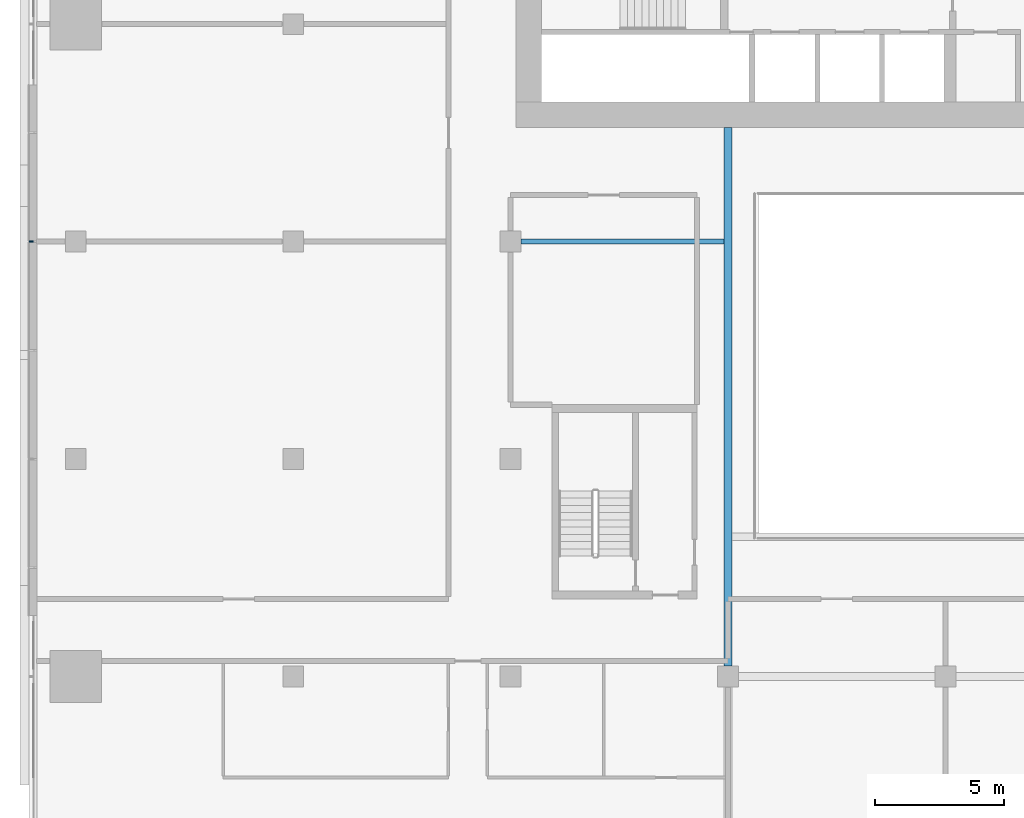
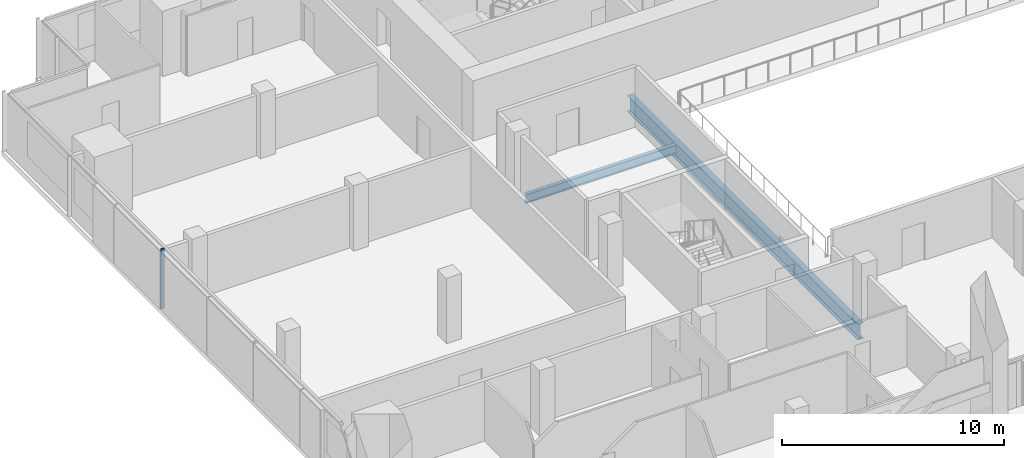
# One storey, part 6 of 30: 2 beams, 1 member, 1 element without a shape of its own.
"""IFC4 building model written with IfcOpenShell, lengths in metres."""

from ifc_helpers import new_model, si_unit, direction, frame, origin, origin_2d, place, context, subcontext, project, spatial, rectangle, i_section, extrude, material, material_profile, profile_set, type_object, element, aggregate, save


model = new_model("IFC4")

# Units and contexts
model_context = context("Model", 3, precision=1e-05, world=origin(), true_north=direction((0.0, 1.0)))
body_context = subcontext(model_context, "Body", "Model", "MODEL_VIEW")
ifc_project = project(units=[si_unit("LENGTHUNIT", "METRE"), si_unit("AREAUNIT", "SQUARE_METRE"), si_unit("VOLUMEUNIT", "CUBIC_METRE"), si_unit("PLANEANGLEUNIT", "RADIAN"), si_unit("MASSUNIT", "GRAM", prefix="KILO")], contexts=[model_context])

# Site, building, storey
site_placement = place(None, origin())
site = spatial("IfcSite", under=ifc_project, at=site_placement, CompositionType="ELEMENT")
building_placement = place(site_placement, origin())
building = spatial("IfcBuilding", under=site, at=building_placement, Name="Saffron Gate Tower", CompositionType="ELEMENT")
storey_placement = place(building_placement, frame((0.0, 0.0, 95.25)))
storey = spatial("IfcBuildingStorey", under=building, at=storey_placement, Name="L21", CompositionType="ELEMENT", Elevation=95.25)

# Beams
ifc_material_1 = material(Name="Structural steel S355", Category="steel")
ifc_material_profile_1 = material_profile(ifc_material_1, i_section(OverallWidth=0.199951171875, OverallDepth=0.5, WebThickness=0.01025390625, FlangeThickness=0.01611328125, FilletRadius=0.02099609375, at=origin_2d()))
ifc_profile_set_1 = profile_set([ifc_material_profile_1], Name="Structural steel S355")
beam_type_1 = type_object("IfcBeamType", Name="B10 IPE 500", PredefinedType="BEAM", material=ifc_profile_set_1)
beam_1_placement = place(storey_placement, frame((67.0, 57.0, -0.530029296875), z_axis=(1.0, 0.0, 0.0), x_axis=(0.0, 1.0, 0.0)))
element("IfcBeam", 1, at=beam_1_placement, inside=storey, type_object=beam_type_1, Name="B10 CORE TIE BEAM", PredefinedType="BEAM", context=body_context, shape_type="SweptSolid", body=[
    extrude(i_section(OverallWidth=0.199951171875, OverallDepth=0.5, WebThickness=0.01025390625, FlangeThickness=0.01611328125, FilletRadius=0.02099609375, at=origin_2d()), origin(), (0.0, 0.0, 1.0), 7.85009765625),
])
ifc_material_profile_2 = material_profile(ifc_material_1, i_section(OverallWidth=0.300048828125, OverallDepth=0.889892578125, WebThickness=0.01611328125, FlangeThickness=0.030029296875, FilletRadius=0.030029296875, at=origin_2d()))
ifc_profile_set_2 = profile_set([ifc_material_profile_2], Name="Structural steel S355")
beam_type_2 = type_object("IfcBeamType", Name="B19 HEA 900", PredefinedType="BEAM", material=ifc_profile_set_2)
beam_2_placement = place(storey_placement, frame((75.0, 40.60009765625, -0.72509765625), z_axis=(0.0, 1.0, 0.0), x_axis=(-1.0, 0.0, 0.0)))
element("IfcBeam", 2, at=beam_2_placement, inside=storey, type_object=beam_type_2, Name="B19 ATRIUM GIRDER", PredefinedType="BEAM", context=body_context, shape_type="SweptSolid", body=[
    extrude(i_section(OverallWidth=0.300048828125, OverallDepth=0.889892578125, WebThickness=0.01611328125, FlangeThickness=0.030029296875, FilletRadius=0.030029296875, at=origin_2d()), origin(), (0.0, 0.0, 1.0), 20.7998046875),
])

# Curtain wall, member
ifc_material_2 = material(Name="Aluminium, bronze anodised", Category="aluminium")
curtain_wall_type = type_object("IfcCurtainWallType", Name="CWS2 curtain wall side facades", PredefinedType="NOTDEFINED", material=ifc_material_2)
curtain_wall_placement = place(storey_placement, origin())
curtain_wall = element("IfcCurtainWall", 3, at=curtain_wall_placement, inside=storey, type_object=curtain_wall_type, Name="CWS2 run 10", PredefinedType="NOTDEFINED")
ifc_material_profile_3 = material_profile(ifc_material_2, rectangle(XDim=0.159912109375, YDim=0.06005859375, at=origin_2d()))
ifc_profile_set_3 = profile_set([ifc_material_profile_3], Name="Aluminium, bronze anodised")
member_type = type_object("IfcMemberType", Name="CWS2 mullion 60x160", PredefinedType="MULLION", material=ifc_profile_set_3)
member_placement = place(storey_placement, frame((48.080078125, 57.0, 0.0), z_axis=(0.0, 0.0, 1.0), x_axis=(1.0, 0.0, 0.0)))
member = element("IfcMember", 4, at=member_placement, type_object=member_type, Name="CWS2 mullion 3", PredefinedType="MULLION", context=body_context, shape_type="SweptSolid", body=[
    extrude(rectangle(XDim=0.159912109375, YDim=0.06005859375, at=origin_2d()), origin(), (0.0, 0.0, 1.0), 3.320068359375),
])
aggregate(curtain_wall, [member])

save(model, "model.ifc")
